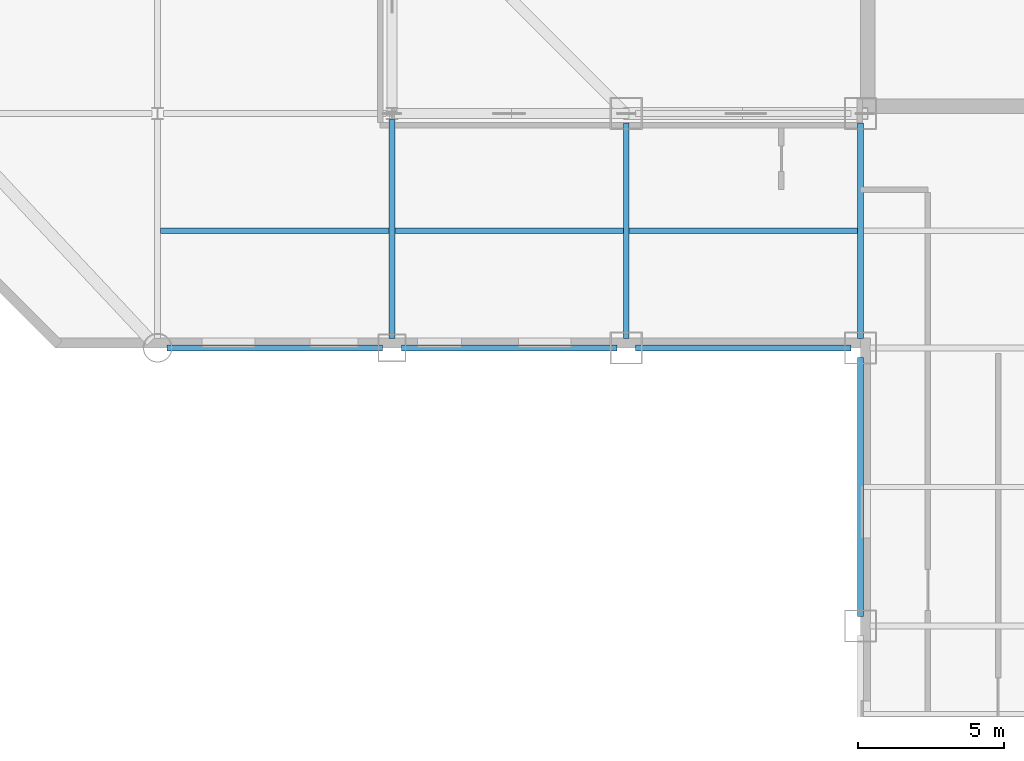
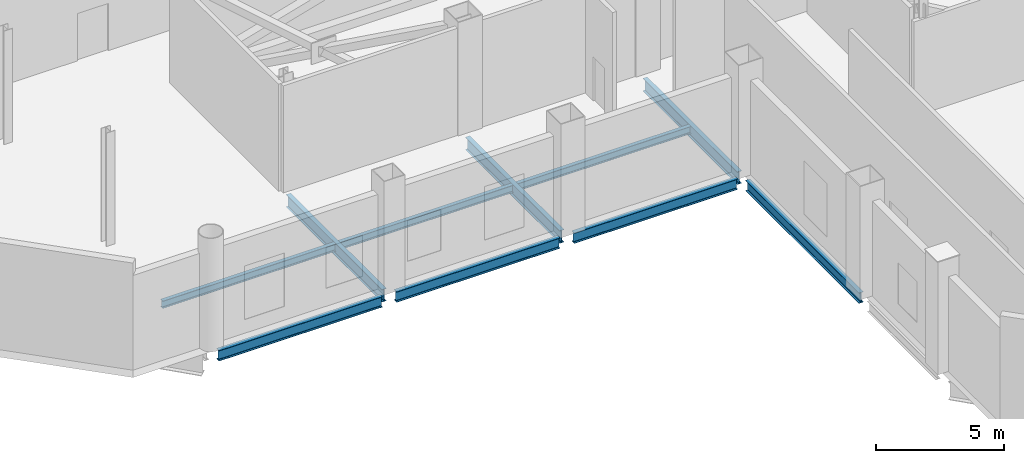
# One storey, part 6 of 24: 10 beams.
"""IFC4 building model written with IfcOpenShell, lengths in metres."""

from ifc_helpers import new_model, si_unit, direction, frame, origin, origin_2d, place, context, subcontext, project, spatial, i_section, extrude, material, material_profile, profile_set, type_object, element, save


model = new_model("IFC4")

# Units and contexts
model_context = context("Model", 3, precision=1e-05, world=origin(), true_north=direction((0.0, 1.0)))
body_context = subcontext(model_context, "Body", "Model", "MODEL_VIEW")
ifc_project = project(units=[si_unit("LENGTHUNIT", "METRE"), si_unit("AREAUNIT", "SQUARE_METRE"), si_unit("VOLUMEUNIT", "CUBIC_METRE"), si_unit("PLANEANGLEUNIT", "RADIAN"), si_unit("MASSUNIT", "GRAM", prefix="KILO")], contexts=[model_context])

# Site, building, storey
site_placement = place(None, origin())
site = spatial("IfcSite", under=ifc_project, at=site_placement, CompositionType="ELEMENT")
building_placement = place(site_placement, origin())
building = spatial("IfcBuilding", under=site, at=building_placement, Name="Qianrong Seaharbour Tower", CompositionType="ELEMENT")
storey_placement = place(building_placement, frame((0.0, 0.0, 195.0)))
storey = spatial("IfcBuildingStorey", under=building, at=storey_placement, Name="L47", CompositionType="ELEMENT", Elevation=195.0)

# Beams
ifc_material_1 = material(Name="Structural steel SN490B", Category="steel")
ifc_material_profile_1 = material_profile(ifc_material_1, i_section(OverallWidth=0.199951171875, OverallDepth=0.60009765625, WebThickness=0.010986328125, FlangeThickness=0.01708984375, FilletRadius=0.02197265625, at=origin_2d()), Name="H600x200x11x17")
ifc_profile_set_1 = profile_set([ifc_material_profile_1], Name="Structural steel SN490B")
beam_type_1 = type_object("IfcBeamType", Name="BM-G-600", PredefinedType="BEAM", material=ifc_profile_set_1)
beam_1_placement = place(storey_placement, frame((24.5, 28.320068359375, -0.64990234375), z_axis=(0.0, 1.0, 0.0), x_axis=(-1.0, 0.0, 0.0)))
element("IfcBeam", 1, at=beam_1_placement, inside=storey, type_object=beam_type_1, Name="L47 Primary Girder G4 GE-GF", PredefinedType="BEAM", context=body_context, shape_type="SweptSolid", body=[
    extrude(i_section(OverallWidth=0.199951171875, OverallDepth=0.60009765625, WebThickness=0.010986328125, FlangeThickness=0.01708984375, FilletRadius=0.02197265625, at=origin_2d()), origin(), (0.0, 0.0, 1.0), 7.47998046875),
])
for number, where, z_axis, x_axis, name in (
    (2, (32.5, 28.320068359375, -0.64990234375), (0.0, 1.0, 0.0), (-1.0, 0.0, 0.0), "L47 Primary Girder G5 GE-GF"),
    (3, (40.5, 28.320068359375, -0.64990234375), (0.0, 1.0, 0.0), (-1.0, 0.0, 0.0), "L47 Primary Girder G6 GE-GF"),
):
    element("IfcBeam", number, at=place(storey_placement, frame(where, z_axis=z_axis, x_axis=x_axis)), inside=storey, type_object=beam_type_1, Name=name, PredefinedType="BEAM", context=body_context, shape_type="SweptSolid", body=[
        extrude(i_section(OverallWidth=0.199951171875, OverallDepth=0.60009765625, WebThickness=0.010986328125, FlangeThickness=0.01708984375, FilletRadius=0.02197265625, at=origin_2d()), origin(), (0.0, 0.0, 1.0), 7.35986328125),
    ])
ifc_material_2 = material(Name="Structural steel SN400B", Category="steel")
ifc_material_profile_2 = material_profile(ifc_material_2, i_section(OverallWidth=0.175048828125, OverallDepth=0.35009765625, WebThickness=0.007080078125, FlangeThickness=0.010986328125, FilletRadius=0.013916015625, at=origin_2d()), Name="H350x175x7x11")
ifc_profile_set_2 = profile_set([ifc_material_profile_2], Name="Structural steel SN400B")
beam_type_2 = type_object("IfcBeamType", Name="BM-J-350", PredefinedType="JOIST", material=ifc_profile_set_2)
for number, where, z_axis, x_axis, name in (
    (4, (16.60009765625, 32.0, -0.52490234375), (1.0, 0.0, 0.0), (0.0, 1.0, 0.0), "L47 Composite Floor Joist G3-G4/GE-GF"),
    (5, (24.60009765625, 32.0, -0.52490234375), (1.0, 0.0, 0.0), (0.0, 1.0, 0.0), "L47 Composite Floor Joist G4-G5/GE-GF"),
    (6, (32.60009765625, 32.0, -0.52490234375), (1.0, 0.0, 0.0), (0.0, 1.0, 0.0), "L47 Composite Floor Joist G5-G6/GE-GF"),
):
    element("IfcBeam", number, at=place(storey_placement, frame(where, z_axis=z_axis, x_axis=x_axis)), inside=storey, type_object=beam_type_2, Name=name, PredefinedType="JOIST", context=body_context, shape_type="SweptSolid", body=[
        extrude(i_section(OverallWidth=0.175048828125, OverallDepth=0.35009765625, WebThickness=0.007080078125, FlangeThickness=0.010986328125, FilletRadius=0.013916015625, at=origin_2d()), origin(), (0.0, 0.0, 1.0), 7.7998046875),
    ])
ifc_material_profile_3 = material_profile(ifc_material_1, i_section(OverallWidth=0.199951171875, OverallDepth=0.5, WebThickness=0.010009765625, FlangeThickness=0.01611328125, FilletRadius=0.02001953125, at=origin_2d()), Name="H500x200x10x16")
ifc_profile_set_3 = profile_set([ifc_material_profile_3], Name="Structural steel SN490B")
beam_type_3 = type_object("IfcBeamType", Name="BM-SP-500", PredefinedType="SPANDREL", material=ifc_profile_set_3)
for number, where, z_axis, x_axis, name in (
    (7, (16.820068359375, 28.0, -0.60009765625), (1.0, 0.0, 0.0), (0.0, 1.0, 0.0), "L47 Spandrel Girder GE G3-G4"),
    (8, (24.820068359375, 28.0, -0.60009765625), (1.0, 0.0, 0.0), (0.0, 1.0, 0.0), "L47 Spandrel Girder GE G4-G5"),
    (9, (32.820068359375, 28.0, -0.60009765625), (1.0, 0.0, 0.0), (0.0, 1.0, 0.0), "L47 Spandrel Girder GE G5-G6"),
):
    element("IfcBeam", number, at=place(storey_placement, frame(where, z_axis=z_axis, x_axis=x_axis)), inside=storey, type_object=beam_type_3, Name=name, PredefinedType="SPANDREL", context=body_context, shape_type="SweptSolid", body=[
        extrude(i_section(OverallWidth=0.199951171875, OverallDepth=0.5, WebThickness=0.010009765625, FlangeThickness=0.01611328125, FilletRadius=0.02001953125, at=origin_2d()), origin(), (0.0, 0.0, 1.0), 7.35986328125),
    ])
beam_2_placement = place(storey_placement, frame((40.5, 18.820068359375, -0.60009765625), z_axis=(0.0, 1.0, 0.0), x_axis=(-1.0, 0.0, 0.0)))
element("IfcBeam", 10, at=beam_2_placement, inside=storey, type_object=beam_type_3, Name="L47 Spandrel Girder G6 GD-GE", PredefinedType="SPANDREL", context=body_context, shape_type="SweptSolid", body=[
    extrude(i_section(OverallWidth=0.199951171875, OverallDepth=0.5, WebThickness=0.010009765625, FlangeThickness=0.01611328125, FilletRadius=0.02001953125, at=origin_2d()), origin(), (0.0, 0.0, 1.0), 8.85986328125),
])

save(model, "model.ifc")
